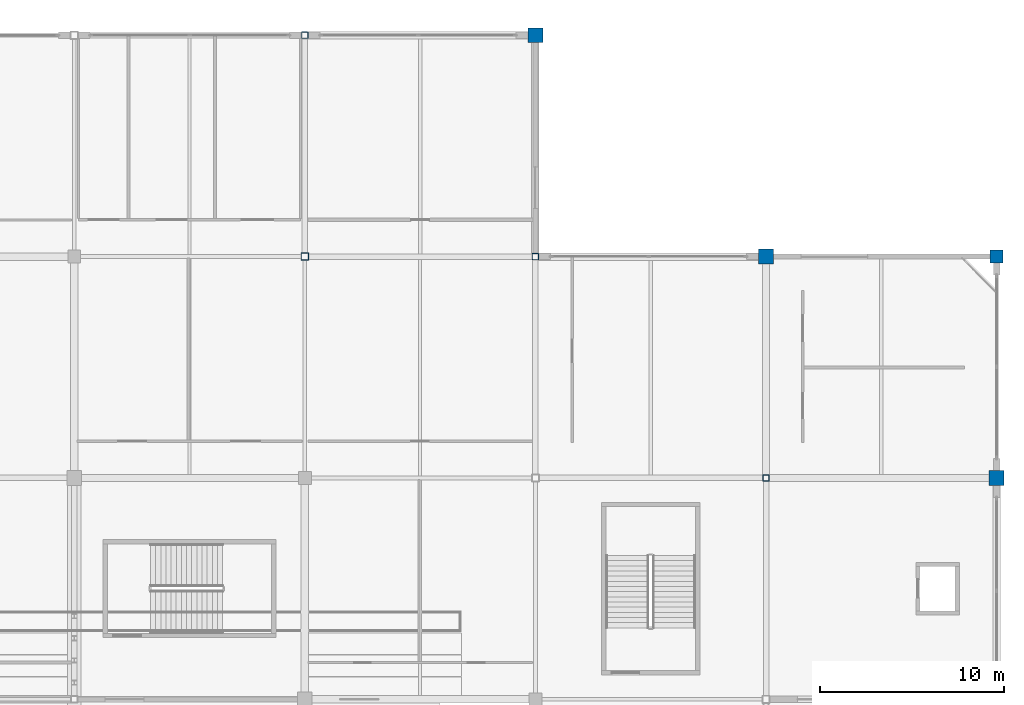
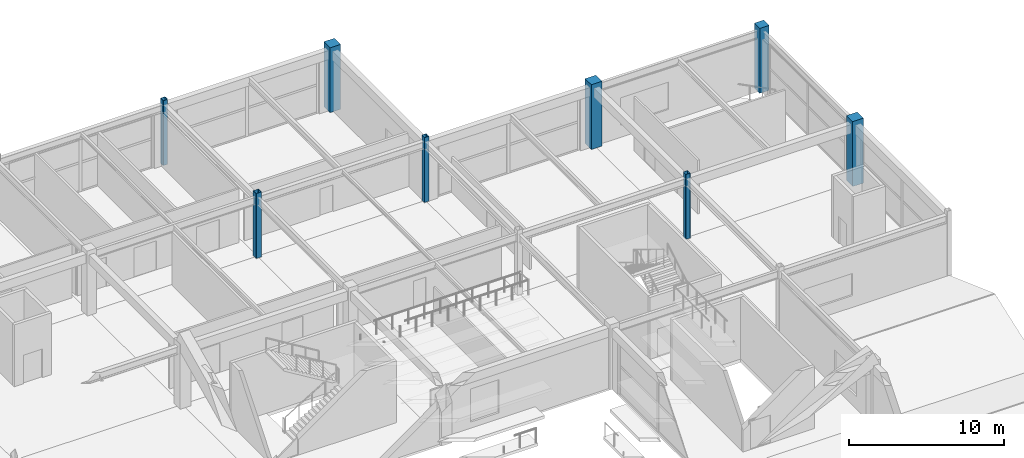
# One storey, part 24 of 128: 8 columns.
"""IFC4 building model written with IfcOpenShell, lengths in metres."""

from ifc_helpers import new_model, si_unit, direction, frame, origin, origin_2d, place, context, subcontext, project, spatial, rectangle, hollow_rectangle, extrude, material, material_profile, profile_set, type_object, element, save


model = new_model("IFC4")

# Units and contexts
model_context = context("Model", 3, precision=1e-05, world=origin(), true_north=direction((0.0, 1.0)))
body_context = subcontext(model_context, "Body", "Model", "MODEL_VIEW")
ifc_project = project(units=[si_unit("LENGTHUNIT", "METRE"), si_unit("AREAUNIT", "SQUARE_METRE"), si_unit("VOLUMEUNIT", "CUBIC_METRE"), si_unit("PLANEANGLEUNIT", "RADIAN"), si_unit("MASSUNIT", "GRAM", prefix="KILO")], contexts=[model_context])

# Site, building, storey
site_placement = place(None, origin())
site = spatial("IfcSite", under=ifc_project, at=site_placement, CompositionType="ELEMENT")
building_placement = place(site_placement, origin())
building = spatial("IfcBuilding", under=site, at=building_placement, Name="Kazenohara Klinker Stadium", CompositionType="ELEMENT")
storey_placement = place(building_placement, frame((0.0, 0.0, 15.300048828125)))
storey = spatial("IfcBuildingStorey", under=building, at=storey_placement, Name="L03", CompositionType="ELEMENT", Elevation=15.300048828125)

# Columns
ifc_material_1 = material(Name="Concrete C40/50", Category="concrete")
ifc_material_profile_1 = material_profile(ifc_material_1, rectangle(XDim=0.800048828125, YDim=0.800048828125, at=origin_2d()), Name="RC-COL-800x800")
ifc_profile_set_1 = profile_set([ifc_material_profile_1], Name="Concrete C40/50")
column_type_1 = type_object("IfcColumnType", Name="COL-RC05", PredefinedType="COLUMN", material=ifc_profile_set_1)
for number, where, z_axis, x_axis, name in (
    (1, (175.0, 168.0, 0.0), (0.0, 0.0, 1.0), (1.0, 0.0, 0.0), "Column C05 L03 15/Q"),
    (2, (187.5, 156.0, 0.0), (0.0, 0.0, 1.0), (1.0, 0.0, 0.0), "Column C05 L03 16/P"),
    (3, (200.0, 144.0, 0.0), (0.0, 0.0, 1.0), (1.0, 0.0, 0.0), "Column C05 L03 17/N"),
):
    element("IfcColumn", number, at=place(storey_placement, frame(where, z_axis=z_axis, x_axis=x_axis)), inside=storey, type_object=column_type_1, Name=name, PredefinedType="COLUMN", context=body_context, shape_type="SweptSolid", body=[
        extrude(rectangle(XDim=0.800048828125, YDim=0.800048828125, at=origin_2d()), origin(), (0.0, 0.0, 1.0), 5.099853515625),
    ])
ifc_material_profile_2 = material_profile(ifc_material_1, rectangle(XDim=0.699951171875, YDim=0.699951171875, at=origin_2d()), Name="RC-COL-700x700")
ifc_profile_set_2 = profile_set([ifc_material_profile_2], Name="Concrete C40/50")
column_type_2 = type_object("IfcColumnType", Name="COL-RC06", PredefinedType="COLUMN", material=ifc_profile_set_2)
column_1_placement = place(storey_placement, frame((200.0, 156.0, 0.0), z_axis=(0.0, 0.0, 1.0), x_axis=(1.0, 0.0, 0.0)))
element("IfcColumn", 4, at=column_1_placement, inside=storey, type_object=column_type_2, Name="Column C06 L03 17/P", PredefinedType="COLUMN", context=body_context, shape_type="SweptSolid", body=[
    extrude(rectangle(XDim=0.699951171875, YDim=0.699951171875, at=origin_2d()), origin(), (0.0, 0.0, 1.0), 5.099853515625),
])
ifc_material_2 = material(Name="Steel S355", Category="steel")
ifc_material_profile_3 = material_profile(ifc_material_2, hollow_rectangle(XDim=0.39990234375, YDim=0.39990234375, WallThickness=0.01611328125, InnerFilletRadius=0.01611328125, OuterFilletRadius=0.031982421875, at=origin_2d()), Name="SHS-400x400x16")
ifc_profile_set_3 = profile_set([ifc_material_profile_3], Name="Steel S355")
column_type_3 = type_object("IfcColumnType", Name="COL-ST01", PredefinedType="COLUMN", material=ifc_profile_set_3)
column_2_placement = place(storey_placement, frame((162.5, 156.0, 0.0), z_axis=(0.0, 0.0, 1.0), x_axis=(1.0, 0.0, 0.0)))
element("IfcColumn", 5, at=column_2_placement, inside=storey, type_object=column_type_3, Name="Column SC01 L03 14/P", PredefinedType="COLUMN", context=body_context, shape_type="SweptSolid", body=[
    extrude(hollow_rectangle(XDim=0.39990234375, YDim=0.39990234375, WallThickness=0.01611328125, InnerFilletRadius=0.01611328125, OuterFilletRadius=0.031982421875, at=origin_2d()), origin(), (0.0, 0.0, 1.0), 5.099853515625),
])
ifc_material_profile_4 = material_profile(ifc_material_2, hollow_rectangle(XDim=0.35009765625, YDim=0.35009765625, WallThickness=0.01611328125, InnerFilletRadius=0.01611328125, OuterFilletRadius=0.031982421875, at=origin_2d()), Name="SHS-350x350x16")
ifc_profile_set_4 = profile_set([ifc_material_profile_4], Name="Steel S355")
column_type_4 = type_object("IfcColumnType", Name="COL-ST02", PredefinedType="COLUMN", material=ifc_profile_set_4)
for number, where, z_axis, x_axis, name in (
    (6, (162.5, 168.0, 0.0), (0.0, 0.0, 1.0), (1.0, 0.0, 0.0), "Column SC02 L03 14/Q"),
    (7, (175.0, 156.0, 0.0), (0.0, 0.0, 1.0), (1.0, 0.0, 0.0), "Column SC02 L03 15/P"),
    (8, (187.5, 144.0, 0.0), (0.0, 0.0, 1.0), (1.0, 0.0, 0.0), "Column SC02 L03 16/N"),
):
    element("IfcColumn", number, at=place(storey_placement, frame(where, z_axis=z_axis, x_axis=x_axis)), inside=storey, type_object=column_type_4, Name=name, PredefinedType="COLUMN", context=body_context, shape_type="SweptSolid", body=[
        extrude(hollow_rectangle(XDim=0.35009765625, YDim=0.35009765625, WallThickness=0.01611328125, InnerFilletRadius=0.01611328125, OuterFilletRadius=0.031982421875, at=origin_2d()), origin(), (0.0, 0.0, 1.0), 5.099853515625),
    ])

save(model, "model.ifc")
